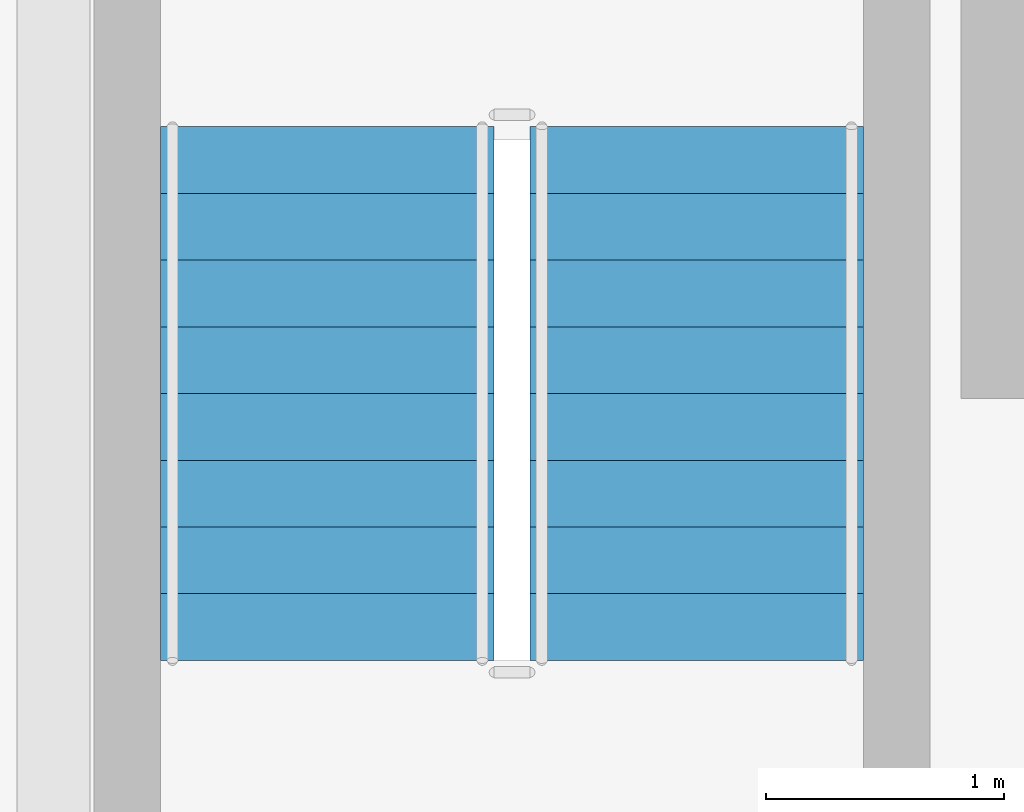
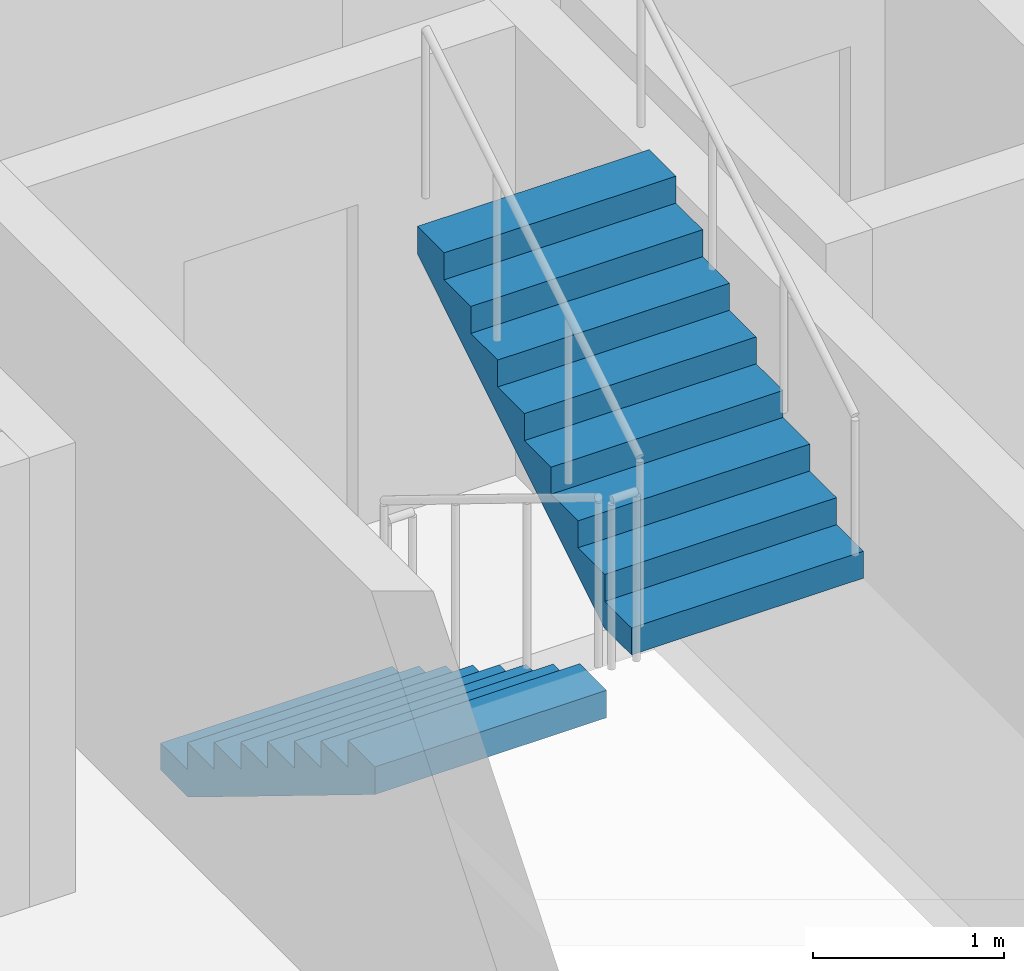
# One storey, part 37 of 41: 2 stair flights, 1 element without a shape of its own.
"""IFC4 building model written with IfcOpenShell, lengths in metres."""

from ifc_helpers import new_model, si_unit, direction, frame, origin, place, context, subcontext, project, spatial, polyline, outline, extrude, material, layer, layer_set, type_object, element, aggregate, save


model = new_model("IFC4")

# Units and contexts
model_context = context("Model", 3, precision=1e-05, world=origin(), true_north=direction((0.0, 1.0)))
body_context = subcontext(model_context, "Body", "Model", "MODEL_VIEW")
ifc_project = project(units=[si_unit("LENGTHUNIT", "METRE"), si_unit("AREAUNIT", "SQUARE_METRE"), si_unit("VOLUMEUNIT", "CUBIC_METRE"), si_unit("PLANEANGLEUNIT", "RADIAN"), si_unit("MASSUNIT", "GRAM", prefix="KILO")], contexts=[model_context])

# Site, building, storey
site_placement = place(None, origin())
site = spatial("IfcSite", under=ifc_project, at=site_placement, CompositionType="ELEMENT")
building_placement = place(site_placement, origin())
building = spatial("IfcBuilding", under=site, at=building_placement, Name="Brevholm Reach", CompositionType="ELEMENT")
storey_placement = place(building_placement, frame((0.0, 0.0, 74.5)))
storey = spatial("IfcBuildingStorey", under=building, at=storey_placement, Name="L21", CompositionType="ELEMENT", Elevation=74.5)

# Stair, stair flights
ifc_material_1 = material(Name="Precast Concrete C40/50", Category="concrete")
stair_type = type_object("IfcStairType", Name="STR-ESC-1400", PredefinedType="DOUBLE_RETURN_STAIR", material=ifc_material_1)
stair_placement = place(storey_placement, origin())
stair = element("IfcStair", 1, at=stair_placement, inside=storey, type_object=stair_type, Name="L21 ST-2", PredefinedType="DOUBLE_RETURN_STAIR")
ifc_material_2 = material(Name="Precast Concrete C40/50", Category="concrete")
ifc_layer = layer(ifc_material_2, 0.18505859375)
ifc_layer_set = layer_set([ifc_layer], Name="Precast Concrete C40/50")
stair_flight_type = type_object("IfcStairFlightType", Name="STF-PRC-185", PredefinedType="STRAIGHT", material=ifc_layer_set)
stair_flight_1_placement = place(storey_placement, frame((43.14990234375, 8.10009765625, 0.0), z_axis=(0.0, 0.0, 1.0), x_axis=(0.0, -1.0, 0.0)))
stair_flight_1 = element("IfcStairFlight", 2, at=stair_flight_1_placement, type_object=stair_flight_type, Name="ST-2 flight 1", NumberOfRisers=9, NumberOfTreads=8, PredefinedType="STRAIGHT", RiserHeight=0.172222222, TreadLength=0.28, context=body_context, shape_type="SweptSolid", body=[
    extrude(outline(polyline([(0.0, 0.0), (0.0, 0.172119140625), (0.280029296875, 0.172119140625), (0.280029296875, 0.344482421875), (0.56005859375, 0.344482421875), (0.56005859375, 0.5166015625), (0.840087890625, 0.5166015625), (0.840087890625, 0.68896484375), (1.1201171875, 0.68896484375), (1.1201171875, 0.861083984375), (1.39990234375, 0.861083984375), (1.39990234375, 1.033447265625), (1.679931640625, 1.033447265625), (1.679931640625, 1.20556640625), (1.9599609375, 1.20556640625), (1.9599609375, 1.377685546875), (2.239990234375, 1.377685546875), (2.239990234375, 1.550048828125), (2.239990234375, 1.201904296875), (0.2861328125, 0.0), (0.0, 0.0)])), frame((0.0, 0.699951171875, 0.0), z_axis=(0.0, -1.0, 0.0), x_axis=(1.0, 0.0, 0.0)), (0.0, 0.0, 1.0), 1.39990234375),
])
stair_flight_2_placement = place(storey_placement, frame((44.699951171875, 5.860107421875, 1.550048828125), z_axis=(0.0, 0.0, 1.0), x_axis=(0.0, 1.0, 0.0)))
stair_flight_2 = element("IfcStairFlight", 3, at=stair_flight_2_placement, type_object=stair_flight_type, Name="ST-2 flight 2", NumberOfRisers=9, NumberOfTreads=8, PredefinedType="STRAIGHT", RiserHeight=0.172222222, TreadLength=0.28, context=body_context, shape_type="SweptSolid", body=[
    extrude(outline(polyline([(0.0, 0.0), (0.0, 0.172119140625), (0.280029296875, 0.172119140625), (0.280029296875, 0.344482421875), (0.56005859375, 0.344482421875), (0.56005859375, 0.5166015625), (0.840087890625, 0.5166015625), (0.840087890625, 0.68896484375), (1.1201171875, 0.68896484375), (1.1201171875, 0.861083984375), (1.39990234375, 0.861083984375), (1.39990234375, 1.033447265625), (1.679931640625, 1.033447265625), (1.679931640625, 1.20556640625), (1.9599609375, 1.20556640625), (1.9599609375, 1.377685546875), (2.239990234375, 1.377685546875), (2.239990234375, 1.550048828125), (2.239990234375, 1.201904296875), (0.2861328125, 0.0), (0.0, 0.0)])), frame((0.0, 0.699951171875, 0.0), z_axis=(0.0, -1.0, 0.0), x_axis=(1.0, 0.0, 0.0)), (0.0, 0.0, 1.0), 1.39990234375),
])
aggregate(stair, [stair_flight_1, stair_flight_2])

save(model, "model.ifc")
